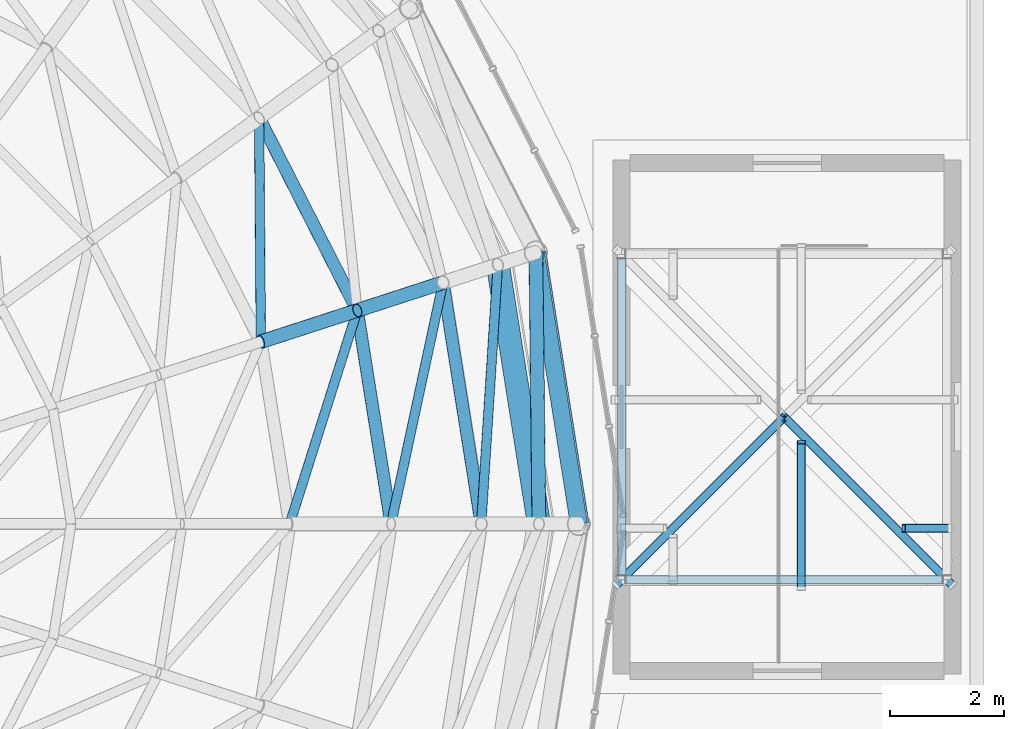
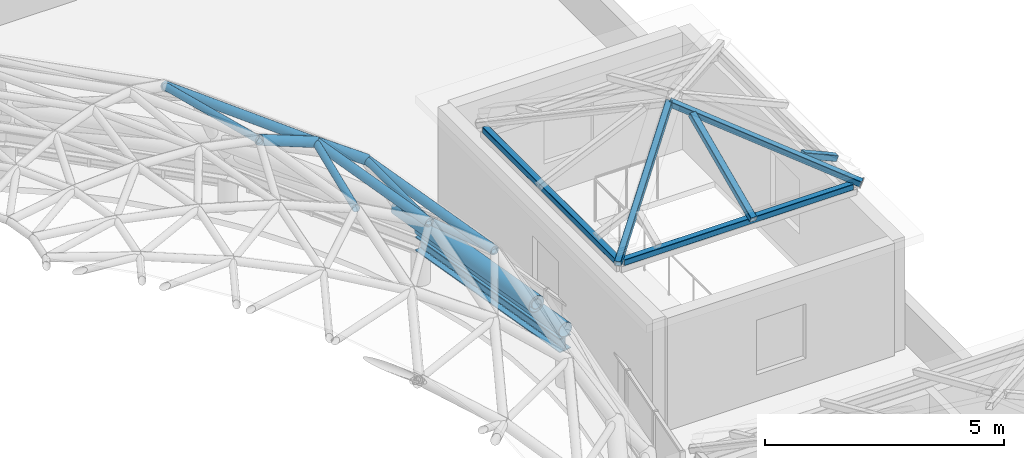
# One storey, part 32 of 69: 18 members, 1 beam.
"""IFC4 building model written with IfcOpenShell, lengths in metres."""

from ifc_helpers import new_model, si_unit, direction, frame, origin, origin_2d, place, context, subcontext, project, spatial, hollow_rectangle, hollow_circle, i_section, extrude, material, material_profile, profile_set, type_object, element, save


model = new_model("IFC4")

# Units and contexts
model_context = context("Model", 3, precision=1e-05, world=origin(), true_north=direction((0.0, 1.0)))
body_context = subcontext(model_context, "Body", "Model", "MODEL_VIEW")
ifc_project = project(units=[si_unit("LENGTHUNIT", "METRE"), si_unit("AREAUNIT", "SQUARE_METRE"), si_unit("VOLUMEUNIT", "CUBIC_METRE"), si_unit("PLANEANGLEUNIT", "RADIAN"), si_unit("MASSUNIT", "GRAM", prefix="KILO")], contexts=[model_context])

# Site, building, storey
site_placement = place(None, origin())
site = spatial("IfcSite", under=ifc_project, at=site_placement, CompositionType="ELEMENT")
building_placement = place(site_placement, origin())
building = spatial("IfcBuilding", under=site, at=building_placement, Name="Kallimachos Central Library", CompositionType="ELEMENT")
storey_placement = place(building_placement, frame((0.0, 0.0, 23.39990234375)))
storey = spatial("IfcBuildingStorey", under=building, at=storey_placement, Name="L05", CompositionType="ELEMENT", Elevation=23.39990234375)

# Members
ifc_material_1 = material(Name="Steel S355J2H", Category="steel")
ifc_material_profile_1 = material_profile(ifc_material_1, hollow_circle(Radius=0.084228515625, WallThickness=0.008056640625, at=origin_2d()), Name="CHS 168.3x8")
ifc_profile_set_1 = profile_set([ifc_material_profile_1], Name="Steel S355J2H")
member_type_1 = type_object("IfcMemberType", Name="CHS 168.3x8 dome diagonal", PredefinedType="BRACE", material=ifc_profile_set_1)
member_1_placement = place(storey_placement, frame((98.33251953125, 104.39990234375, 6.24853515625), z_axis=(0.292700442616, 0.924993749275, -0.242307686001), x_axis=(-0.953405759115, 0.30169099835, 0.0)))
element("IfcMember", 1, at=member_1_placement, inside=storey, type_object=member_type_1, Name="Dome diagonal DD-4-00", PredefinedType="BRACE", context=body_context, shape_type="SweptSolid", body=[
    extrude(hollow_circle(Radius=0.084228515625, WallThickness=0.008056640625, at=origin_2d()), origin(), (0.0, 0.0, 1.0), 4.04541015625),
])
member_2_placement = place(storey_placement, frame((97.826904296875, 107.593017578125, 6.24853515625), z_axis=(-0.007483726386, 0.970168561724, -0.24231581806), x_axis=(-0.999970249653, -0.007713611879, 0.0)))
element("IfcMember", 2, at=member_2_placement, inside=storey, type_object=member_type_1, Name="Dome diagonal DD-4-01", PredefinedType="BRACE", context=body_context, shape_type="SweptSolid", body=[
    extrude(hollow_circle(Radius=0.084228515625, WallThickness=0.008056640625, at=origin_2d()), origin(), (0.0, 0.0, 1.0), 4.045166015625),
])
member_3_placement = place(storey_placement, frame((100.109130859375, 104.39990234375, 5.268310546875), z_axis=(0.20183431112, 0.93808559785, -0.281528545554), x_axis=(-0.97762785525, 0.210342046769, 0.0)))
element("IfcMember", 3, at=member_3_placement, inside=storey, type_object=member_type_1, Name="Dome diagonal DD-5-00", PredefinedType="BRACE", context=body_context, shape_type="SweptSolid", body=[
    extrude(hollow_circle(Radius=0.084228515625, WallThickness=0.008056640625, at=origin_2d()), origin(), (0.0, 0.0, 1.0), 4.509521484375),
])
member_4_placement = place(storey_placement, frame((101.689208984375, 104.39990234375, 3.998779296875), z_axis=(0.059849926019, 0.93346820908, -0.353631289612), x_axis=(-0.997950906792, 0.063984276445, 0.0)))
element("IfcMember", 4, at=member_4_placement, inside=storey, type_object=member_type_1, Name="Dome diagonal DD-6-00", PredefinedType="BRACE", context=body_context, shape_type="SweptSolid", body=[
    extrude(hollow_circle(Radius=0.084228515625, WallThickness=0.008056640625, at=origin_2d()), origin(), (0.0, 0.0, 1.0), 4.866455078125),
])
ifc_material_2 = material(Name="Steel S355J2H", Category="steel")
ifc_material_profile_2 = material_profile(ifc_material_2, hollow_circle(Radius=0.109619140625, WallThickness=0.012451171875, at=origin_2d()), Name="CHS 219.1x12.5")
ifc_profile_set_2 = profile_set([ifc_material_profile_2], Name="Steel S355J2H")
member_type_2 = type_object("IfcMemberType", Name="CHS 219.1x12.5 dome ring", PredefinedType="PURLIN", material=ifc_profile_set_2)
for number, where, z_axis, x_axis, name in (
    (5, (100.109130859375, 104.39990234375, 5.268310546875), (-0.156399366664, 0.987693898993, 0.0), (-0.987693898993, -0.156399366664, 0.0), "Dome ring DN-5-00"),
    (6, (99.5166015625, 108.141845703125, 5.268310546875), (-0.45397983879, 0.891011956133, 0.0), (-0.891011956133, -0.45397983879, 0.0), "Dome ring DN-5-01"),
):
    element("IfcMember", number, at=place(storey_placement, frame(where, z_axis=z_axis, x_axis=x_axis)), inside=storey, type_object=member_type_2, Name=name, PredefinedType="PURLIN", context=body_context, shape_type="SweptSolid", body=[
        extrude(hollow_circle(Radius=0.109619140625, WallThickness=0.012451171875, at=origin_2d()), origin(), (0.0, 0.0, 1.0), 3.78857421875),
    ])
member_5_placement = place(storey_placement, frame((101.689208984375, 104.39990234375, 3.998779296875), z_axis=(-0.156416270198, 0.987691222203, 0.0), x_axis=(-0.987691222203, -0.156416270198, 0.0)))
element("IfcMember", 7, at=member_5_placement, inside=storey, type_object=member_type_2, Name="Dome ring DN-6-00", PredefinedType="PURLIN", context=body_context, shape_type="SweptSolid", body=[
    extrude(hollow_circle(Radius=0.109619140625, WallThickness=0.012451171875, at=origin_2d()), origin(), (0.0, 0.0, 1.0), 4.282958984375),
])
ifc_material_3 = material(Name="Steel S355J2H", Category="steel")
ifc_material_profile_3 = material_profile(ifc_material_3, hollow_circle(Radius=0.122314453125, WallThickness=0.012451171875, at=origin_2d()), Name="CHS 244.5x12.5")
ifc_profile_set_3 = profile_set([ifc_material_profile_3], Name="Steel S355J2H")
member_type_3 = type_object("IfcMemberType", Name="CHS 244.5x12.5 dome diagonal", PredefinedType="BRACE", material=ifc_profile_set_3)
member_6_placement = place(storey_placement, frame((102.699951171875, 104.39990234375, 2.27783203125), z_axis=(-0.011088900609, 0.982526998076, -0.185789489299), x_axis=(-0.999936318026, -0.011285383982, 0.0)))
element("IfcMember", 8, at=member_6_placement, inside=storey, type_object=member_type_3, Name="Dome diagonal DD-7-00", PredefinedType="BRACE", context=body_context, shape_type="SweptSolid", body=[
    extrude(hollow_circle(Radius=0.122314453125, WallThickness=0.012451171875, at=origin_2d()), origin(), (0.0, 0.0, 1.0), 4.84375),
])
ifc_material_4 = material(Name="Steel S355J2H", Category="steel")
ifc_material_profile_4 = material_profile(ifc_material_4, hollow_circle(Radius=0.122314453125, WallThickness=0.012451171875, at=origin_2d()), Name="CHS 244.5x12.5")
ifc_profile_set_4 = profile_set([ifc_material_profile_4], Name="Steel S355J2H")
member_type_4 = type_object("IfcMemberType", Name="CHS 244.5x12.5 dome rib", PredefinedType="RAFTER", material=ifc_profile_set_4)
member_7_placement = place(storey_placement, frame((97.826904296875, 107.593017578125, 6.24853515625), z_axis=(0.832744245787, 0.270482454057, -0.483090326085), x_axis=(-0.308921380563, 0.951087577792, 0.0)))
element("IfcMember", 9, at=member_7_placement, inside=storey, type_object=member_type_4, Name="Dome rib DR-4-01", PredefinedType="RAFTER", context=body_context, shape_type="SweptSolid", body=[
    extrude(hollow_circle(Radius=0.122314453125, WallThickness=0.012451171875, at=origin_2d()), origin(), (0.0, 0.0, 1.0), 2.029052734375),
])
member_8_placement = place(storey_placement, frame((99.5166015625, 108.141845703125, 5.268310546875), z_axis=(0.741383201847, 0.240904371031, -0.62635136468), x_axis=(-0.309033663672, 0.951051099951, 0.0)))
element("IfcMember", 10, at=member_8_placement, inside=storey, type_object=member_type_4, Name="Dome rib DR-5-01", PredefinedType="RAFTER", context=body_context, shape_type="SweptSolid", body=[
    extrude(hollow_circle(Radius=0.122314453125, WallThickness=0.012451171875, at=origin_2d()), origin(), (0.0, 0.0, 1.0), 2.02685546875),
])
ifc_material_5 = material(Name="Steel S355J2H", Category="steel")
ifc_material_profile_5 = material_profile(ifc_material_5, hollow_circle(Radius=0.177734375, WallThickness=0.008056640625, at=origin_2d()), Name="CHS 355.6x8")
ifc_profile_set_5 = profile_set([ifc_material_profile_5], Name="Steel S355J2H")
member_type_5 = type_object("IfcMemberType", Name="CHS 355.6x8 dome ring", PredefinedType="PURLIN", material=ifc_profile_set_5)
member_9_placement = place(storey_placement, frame((103.39990234375, 104.39990234375, 1.3779296875), z_axis=(-0.15641529171, 0.987691377162, 0.0), x_axis=(-0.987691377162, -0.15641529171, 0.0)))
element("IfcMember", 11, at=member_9_placement, inside=storey, type_object=member_type_5, Name="Dome ring DN-8-00", PredefinedType="PURLIN", context=body_context, shape_type="SweptSolid", body=[
    extrude(hollow_circle(Radius=0.177734375, WallThickness=0.008056640625, at=origin_2d()), origin(), (0.0, 0.0, 1.0), 4.818359375),
])
ifc_material_6 = material(Name="Steel S355J2H", Category="steel")
ifc_material_profile_6 = material_profile(ifc_material_6, hollow_circle(Radius=0.203125, WallThickness=0.012451171875, at=origin_2d()), Name="CHS 406.4x12.5")
ifc_profile_set_6 = profile_set([ifc_material_profile_6], Name="Steel S355J2H")
member_type_6 = type_object("IfcMemberType", Name="CHS 406.4x12.5 dome ring", PredefinedType="PURLIN", material=ifc_profile_set_6)
member_10_placement = place(storey_placement, frame((102.699951171875, 104.39990234375, 2.27783203125), z_axis=(-0.156431395311, 0.987688826788, 0.0), x_axis=(-0.987688826788, -0.156431395311, 0.0)))
element("IfcMember", 12, at=member_10_placement, inside=storey, type_object=member_type_6, Name="Dome ring DN-7-00", PredefinedType="PURLIN", context=body_context, shape_type="SweptSolid", body=[
    extrude(hollow_circle(Radius=0.203125, WallThickness=0.012451171875, at=origin_2d()), origin(), (0.0, 0.0, 1.0), 4.599365234375),
])

# Beam
ifc_material_7 = material(Name="Steel S355J2", Category="steel")
ifc_material_profile_7 = material_profile(ifc_material_7, i_section(OverallWidth=0.300048828125, OverallDepth=0.360107421875, WebThickness=0.012451171875, FlangeThickness=0.0224609375, FilletRadius=0.027099609375, at=origin_2d()), Name="HEB 360")
ifc_profile_set_7 = profile_set([ifc_material_profile_7], Name="Steel S355J2")
beam_type = type_object("IfcBeamType", Name="HEB 360 beam", PredefinedType="BEAM", material=ifc_profile_set_7)
beam_placement = place(storey_placement, frame((103.39990234375, 104.39990234375, 1.02001953125), z_axis=(-0.15641529171, 0.987691377162, 0.0), x_axis=(-0.987691377162, -0.15641529171, 0.0)))
element("IfcBeam", 13, at=beam_placement, inside=storey, type_object=beam_type, Name="V1-BEM-L05-001", PredefinedType="BEAM", context=body_context, shape_type="SweptSolid", body=[
    extrude(i_section(OverallWidth=0.300048828125, OverallDepth=0.360107421875, WebThickness=0.012451171875, FlangeThickness=0.0224609375, FilletRadius=0.027099609375, at=origin_2d()), origin(), (0.0, 0.0, 1.0), 4.818359375),
])

# Members
ifc_material_8 = material(Name="Steel S355J2H", Category="steel")
ifc_material_profile_8 = material_profile(ifc_material_8, hollow_rectangle(XDim=0.14990234375, YDim=0.14990234375, WallThickness=0.010009765625, InnerFilletRadius=0.010009765625, OuterFilletRadius=0.014892578125, at=origin_2d()), Name="SHS 150x150x10")
ifc_profile_set_8 = profile_set([ifc_material_profile_8], Name="Steel S355J2H")
member_type_7 = type_object("IfcMemberType", Name="SHS 150x150x10 eaves bearer", PredefinedType="STRINGER", material=ifc_profile_set_8)
member_11_placement = place(storey_placement, frame((104.22509765625, 103.425048828125, 3.425048828125), z_axis=(1.0, 0.0, 0.0), x_axis=(0.0, 1.0, 0.0)))
element("IfcMember", 14, at=member_11_placement, inside=storey, type_object=member_type_7, Name="Head-house roof V1-NE eaves bearer S", PredefinedType="STRINGER", context=body_context, shape_type="SweptSolid", body=[
    extrude(hollow_rectangle(XDim=0.14990234375, YDim=0.14990234375, WallThickness=0.010009765625, InnerFilletRadius=0.010009765625, OuterFilletRadius=0.014892578125, at=origin_2d()), origin(), (0.0, 0.0, 1.0), 5.5498046875),
])
member_12_placement = place(storey_placement, frame((104.14990234375, 103.5, 3.425048828125), z_axis=(0.0, 1.0, 0.0), x_axis=(-1.0, 0.0, 0.0)))
element("IfcMember", 15, at=member_12_placement, inside=storey, type_object=member_type_7, Name="Head-house roof V1-NE eaves bearer W", PredefinedType="STRINGER", context=body_context, shape_type="SweptSolid", body=[
    extrude(hollow_rectangle(XDim=0.14990234375, YDim=0.14990234375, WallThickness=0.010009765625, InnerFilletRadius=0.010009765625, OuterFilletRadius=0.014892578125, at=origin_2d()), origin(), (0.0, 0.0, 1.0), 5.550048828125),
])
ifc_material_9 = material(Name="Steel S355J2H", Category="steel")
ifc_material_profile_9 = material_profile(ifc_material_9, hollow_rectangle(XDim=0.14990234375, YDim=0.14990234375, WallThickness=0.010009765625, InnerFilletRadius=0.010009765625, OuterFilletRadius=0.014892578125, at=origin_2d()), Name="SHS 150x150x10")
ifc_profile_set_9 = profile_set([ifc_material_profile_9], Name="Steel S355J2H")
member_type_8 = type_object("IfcMemberType", Name="SHS 150x150x10 rafter", PredefinedType="RAFTER", material=ifc_profile_set_9)
member_13_placement = place(storey_placement, frame((107.300048828125, 103.27490234375, 3.515380859375), z_axis=(0.0, 0.913534709899, 0.406760782045), x_axis=(-1.0, 0.0, 0.0)))
element("IfcMember", 16, at=member_13_placement, inside=storey, type_object=member_type_8, Name="Head-house roof V1-NE rafter", PredefinedType="RAFTER", context=body_context, shape_type="SweptSolid", body=[
    extrude(hollow_rectangle(XDim=0.14990234375, YDim=0.14990234375, WallThickness=0.010009765625, InnerFilletRadius=0.010009765625, OuterFilletRadius=0.014892578125, at=origin_2d()), origin(), (0.0, 0.0, 1.0), 2.80224609375),
])
member_14_placement = place(storey_placement, frame((109.89990234375, 104.324951171875, 3.559814453125), z_axis=(-0.913425040309, 0.0, 0.407006997159), x_axis=(0.0, -1.0, 0.0)))
element("IfcMember", 17, at=member_14_placement, inside=storey, type_object=member_type_8, Name="Head-house roof V1-NE rafter", PredefinedType="RAFTER", context=body_context, shape_type="SweptSolid", body=[
    extrude(hollow_rectangle(XDim=0.14990234375, YDim=0.14990234375, WallThickness=0.010009765625, InnerFilletRadius=0.010009765625, OuterFilletRadius=0.014892578125, at=origin_2d()), origin(), (0.0, 0.0, 1.0), 0.886474609375),
])
ifc_material_10 = material(Name="Steel S355J2H", Category="steel")
ifc_material_profile_10 = material_profile(ifc_material_10, hollow_rectangle(XDim=0.14990234375, YDim=0.14990234375, WallThickness=0.010009765625, InnerFilletRadius=0.010009765625, OuterFilletRadius=0.014892578125, at=origin_2d()), Name="SHS 150x150x10")
ifc_profile_set_10 = profile_set([ifc_material_profile_10], Name="Steel S355J2H")
member_type_9 = type_object("IfcMemberType", Name="SHS 200x200x10 hip rafter", PredefinedType="RAFTER", material=ifc_profile_set_10)
for number, where, z_axis, x_axis, name in (
    (18, (104.050048828125, 103.324951171875, 3.487548828125), (0.674479349295, 0.674479349295, 0.300258579811), (-0.707106781187, 0.707106781187, 0.0), "Head-house roof V1-NE hip"),
    (19, (109.949951171875, 103.324951171875, 3.487548828125), (-0.674479349295, 0.674479349295, 0.300258579811), (-0.707106781187, -0.707106781187, 0.0), "Head-house roof V1-NE hip"),
):
    element("IfcMember", number, at=place(storey_placement, frame(where, z_axis=z_axis, x_axis=x_axis)), inside=storey, type_object=member_type_9, Name=name, PredefinedType="RAFTER", context=body_context, shape_type="SweptSolid", body=[
        extrude(hollow_rectangle(XDim=0.14990234375, YDim=0.14990234375, WallThickness=0.010009765625, InnerFilletRadius=0.010009765625, OuterFilletRadius=0.014892578125, at=origin_2d()), origin(), (0.0, 0.0, 1.0), 4.373779296875),
    ])

save(model, "model.ifc")
